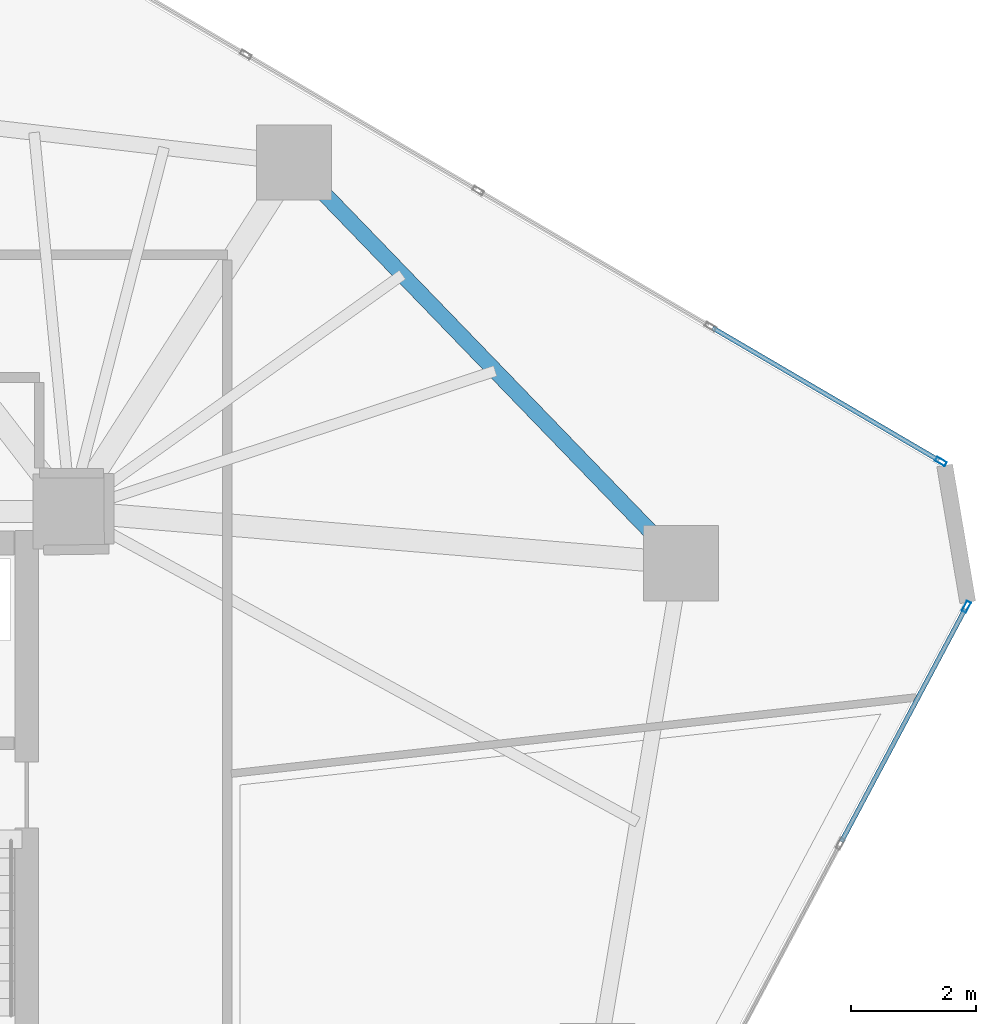
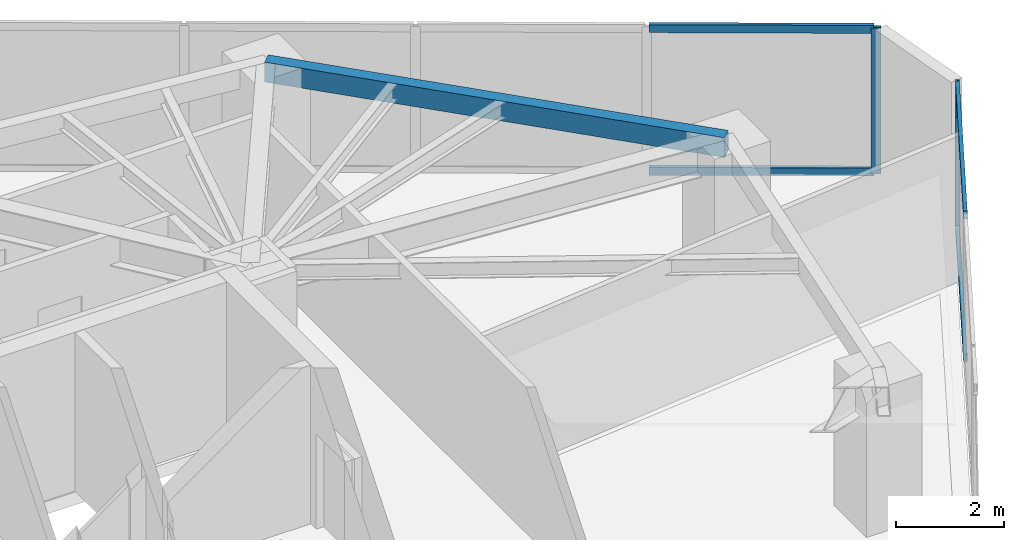
# One storey, part 11 of 21: 6 members, 1 beam, 2 elements without a shape of their own.
"""IFC4 building model written with IfcOpenShell, lengths in metres."""

from ifc_helpers import new_model, si_unit, direction, frame, origin, origin_2d, place, context, subcontext, project, spatial, hollow_rectangle, extrude, source, transform, mapped, material, layer, layer_set, material_profile, profile_set, type_object, type_shapes, element, aggregate, save


model = new_model("IFC4")

# Units and contexts
model_context = context("Model", 3, precision=1e-05, world=origin(), true_north=direction((0.0, 1.0)))
body_context = subcontext(model_context, "Body", "Model", "MODEL_VIEW")
ifc_project = project(units=[si_unit("LENGTHUNIT", "METRE"), si_unit("AREAUNIT", "SQUARE_METRE"), si_unit("VOLUMEUNIT", "CUBIC_METRE"), si_unit("PLANEANGLEUNIT", "RADIAN"), si_unit("MASSUNIT", "GRAM", prefix="KILO")], contexts=[model_context])

# Site, building, storey
site_placement = place(None, origin())
site = spatial("IfcSite", under=ifc_project, at=site_placement, CompositionType="ELEMENT")
building_placement = place(site_placement, origin())
building = spatial("IfcBuilding", under=site, at=building_placement, Name="Talar Marvaseh", CompositionType="ELEMENT")
storey_placement = place(building_placement, frame((0.0, 0.0, 143.39990234375)))
storey = spatial("IfcBuildingStorey", under=building, at=storey_placement, Name="L37", CompositionType="ELEMENT", Elevation=143.39990234375)

# Beam
ifc_material_1 = material(Name="Steel S355", Category="steel")
ifc_material_profile_1 = material_profile(ifc_material_1, hollow_rectangle(XDim=0.25, YDim=0.449951171875, WallThickness=0.01611328125, at=origin_2d()), Name="RHS450x250x16")
ifc_profile_set_1 = profile_set([ifc_material_profile_1], Name="Steel S355")
beam_type = type_object("IfcBeamType", Name="Zone 2 Perimeter Spandrel Beam RHS450x250x16", PredefinedType="SPANDREL", material=ifc_profile_set_1)
beam_placement = place(storey_placement, frame((36.865966796875, 42.470947265625, 3.085205078125), z_axis=(0.694796856243, -0.719206040405, 0.0), x_axis=(0.719206040405, 0.694796856243, 0.0)))
element("IfcBeam", 1, at=beam_placement, inside=storey, type_object=beam_type, Name="L37 Zone 2 Perimeter Spandrel Beam RHS450x250x16", PredefinedType="SPANDREL", context=body_context, shape_type="SweptSolid", body=[
    extrude(hollow_rectangle(XDim=0.25, YDim=0.449951171875, WallThickness=0.01611328125, at=origin_2d()), origin(), (0.0, 0.0, 1.0), 8.891845703125),
])

# Curtain wall, member
ifc_material_2 = material(Name="Architectural Aluminium", Category="aluminium")
ifc_layer = layer(ifc_material_2, 0.199951171875)
ifc_layer_set = layer_set([ifc_layer], Name="Architectural Aluminium")
curtain_wall_type = type_object("IfcCurtainWallType", Name="Unitised Acoustic Library Curtain Wall Z2", PredefinedType="NOTDEFINED", material=ifc_layer_set)
curtain_wall_1_placement = place(storey_placement, origin())
curtain_wall_1 = element("IfcCurtainWall", 2, at=curtain_wall_1_placement, inside=storey, type_object=curtain_wall_type, Name="L37 Unitised Acoustic Library Curtain Wall Z2", PredefinedType="NOTDEFINED")
ifc_material_profile_2 = material_profile(ifc_material_2, hollow_rectangle(XDim=0.074951171875, YDim=0.179931640625, WallThickness=0.0048828125, at=origin_2d()), Name="RHS180x75x5")
ifc_profile_set_2 = profile_set([ifc_material_profile_2], Name="Architectural Aluminium")
member_type_1 = type_object("IfcMemberType", Name="Unitised Curtain Wall Standard Mullion RHS180x75x5", PredefinedType="MULLION", material=ifc_profile_set_2)
shared_shape_1 = source(origin(), body_context, "Body", "SweptSolid", [
    extrude(hollow_rectangle(XDim=0.074951171875, YDim=0.179931640625, WallThickness=0.0048828125, at=origin_2d()), origin(), (0.0, 0.0, 1.0), 3.31005859375),
])
type_shapes(member_type_1, [shared_shape_1])
member_1_placement = place(storey_placement, frame((47.19091796875, 37.69873046875, 0.0), z_axis=(0.0, 0.0, 1.0), x_axis=(0.505222312647, 0.862989232148, 0.0)))
member_1 = element("IfcMember", 3, at=member_1_placement, type_object=member_type_1, Name="CW-Z2 mullion 5", PredefinedType="MULLION", context=body_context, shape_type="MappedRepresentation", body=[
    mapped(shared_shape_1, transform((0.0, 0.0, 0.0), x_axis=(1.0, 0.0, 0.0), y_axis=(0.0, 1.0, 0.0), z_axis=(0.0, 0.0, 1.0), scale=1.0)),
])

curtain_wall_2_placement = place(storey_placement, origin())
curtain_wall_2 = element("IfcCurtainWall", 4, at=curtain_wall_2_placement, inside=storey, type_object=curtain_wall_type, Name="L37 Unitised Acoustic Library Curtain Wall Z2", PredefinedType="NOTDEFINED")
member_2_placement = place(storey_placement, frame((47.59716796875, 35.380859375, 0.0), z_axis=(0.0, 0.0, 1.0), x_axis=(0.882873695005, -0.469610518056, 0.0)))
member_2 = element("IfcMember", 5, at=member_2_placement, type_object=member_type_1, Name="CW-Z2 mullion 1", PredefinedType="MULLION", context=body_context, shape_type="MappedRepresentation", body=[
    mapped(shared_shape_1, transform((0.0, 0.0, 0.0), x_axis=(1.0, 0.0, 0.0), y_axis=(0.0, 1.0, 0.0), z_axis=(0.0, 0.0, 1.0), scale=1.0)),
])

# Member
ifc_material_profile_3 = material_profile(ifc_material_2, hollow_rectangle(XDim=0.074951171875, YDim=0.179931640625, WallThickness=0.0048828125, at=origin_2d()), Name="RHS180x75x5")
ifc_profile_set_3 = profile_set([ifc_material_profile_3], Name="Architectural Aluminium")
member_type_2 = type_object("IfcMemberType", Name="Unitised Curtain Wall Transom RHS180x75x5", PredefinedType="USERDEFINED", material=ifc_profile_set_3)
shared_shape_2 = source(origin(), body_context, "Body", "SweptSolid", [
    extrude(hollow_rectangle(XDim=0.074951171875, YDim=0.179931640625, WallThickness=0.0048828125, at=origin_2d()), origin(), (0.0, 0.0, 1.0), 4.185546875),
])
member_3_placement = place(storey_placement, frame((43.546630859375, 39.832275390625, 0.03759765625), z_axis=(0.862976011642, -0.505244894413, 0.0), x_axis=(0.505244894413, 0.862976011642, 0.0)))
member_3 = element("IfcMember", 6, at=member_3_placement, type_object=member_type_2, Name="CW-Z2 transom 4.1", ObjectType="TRANSOM", PredefinedType="USERDEFINED", context=body_context, shape_type="MappedRepresentation", body=[
    mapped(shared_shape_2, transform((0.0, 0.0, 0.0), x_axis=(1.0, 0.0, 0.0), y_axis=(0.0, 1.0, 0.0), z_axis=(0.0, 0.0, 1.0), scale=1.0)),
])

member_4_placement = place(storey_placement, frame((43.546630859375, 39.832275390625, 3.272705078125), z_axis=(0.862976011642, -0.505244894413, 0.0), x_axis=(0.505244894413, 0.862976011642, 0.0)))
member_4 = element("IfcMember", 7, at=member_4_placement, type_object=member_type_2, Name="CW-Z2 transom 4.2", ObjectType="TRANSOM", PredefinedType="USERDEFINED", context=body_context, shape_type="MappedRepresentation", body=[
    mapped(shared_shape_2, transform((0.0, 0.0, 0.0), x_axis=(1.0, 0.0, 0.0), y_axis=(0.0, 1.0, 0.0), z_axis=(0.0, 0.0, 1.0), scale=1.0)),
])

aggregate(curtain_wall_1, [member_1, member_3, member_4])

shared_shape_3 = source(origin(), body_context, "Body", "SweptSolid", [
    extrude(hollow_rectangle(XDim=0.074951171875, YDim=0.179931640625, WallThickness=0.0048828125, at=origin_2d()), origin(), (0.0, 0.0, 1.0), 4.211181640625),
])
type_shapes(member_type_2, [shared_shape_2, shared_shape_3])
member_5_placement = place(storey_placement, frame((47.57958984375, 35.347900390625, 0.03759765625), z_axis=(-0.469588936325, -0.882885174233, 0.0), x_axis=(0.882885174233, -0.469588936325, 0.0)))
member_5 = element("IfcMember", 8, at=member_5_placement, type_object=member_type_2, Name="CW-Z2 transom 1.1", ObjectType="TRANSOM", PredefinedType="USERDEFINED", context=body_context, shape_type="MappedRepresentation", body=[
    mapped(shared_shape_3, transform((0.0, 0.0, 0.0), x_axis=(1.0, 0.0, 0.0), y_axis=(0.0, 1.0, 0.0), z_axis=(0.0, 0.0, 1.0), scale=1.0)),
])

member_6_placement = place(storey_placement, frame((47.57958984375, 35.347900390625, 3.272705078125), z_axis=(-0.469588936325, -0.882885174233, 0.0), x_axis=(0.882885174233, -0.469588936325, 0.0)))
member_6 = element("IfcMember", 9, at=member_6_placement, type_object=member_type_2, Name="CW-Z2 transom 1.2", ObjectType="TRANSOM", PredefinedType="USERDEFINED", context=body_context, shape_type="MappedRepresentation", body=[
    mapped(shared_shape_3, transform((0.0, 0.0, 0.0), x_axis=(1.0, 0.0, 0.0), y_axis=(0.0, 1.0, 0.0), z_axis=(0.0, 0.0, 1.0), scale=1.0)),
])

aggregate(curtain_wall_2, [member_2, member_5, member_6])

save(model, "model.ifc")
